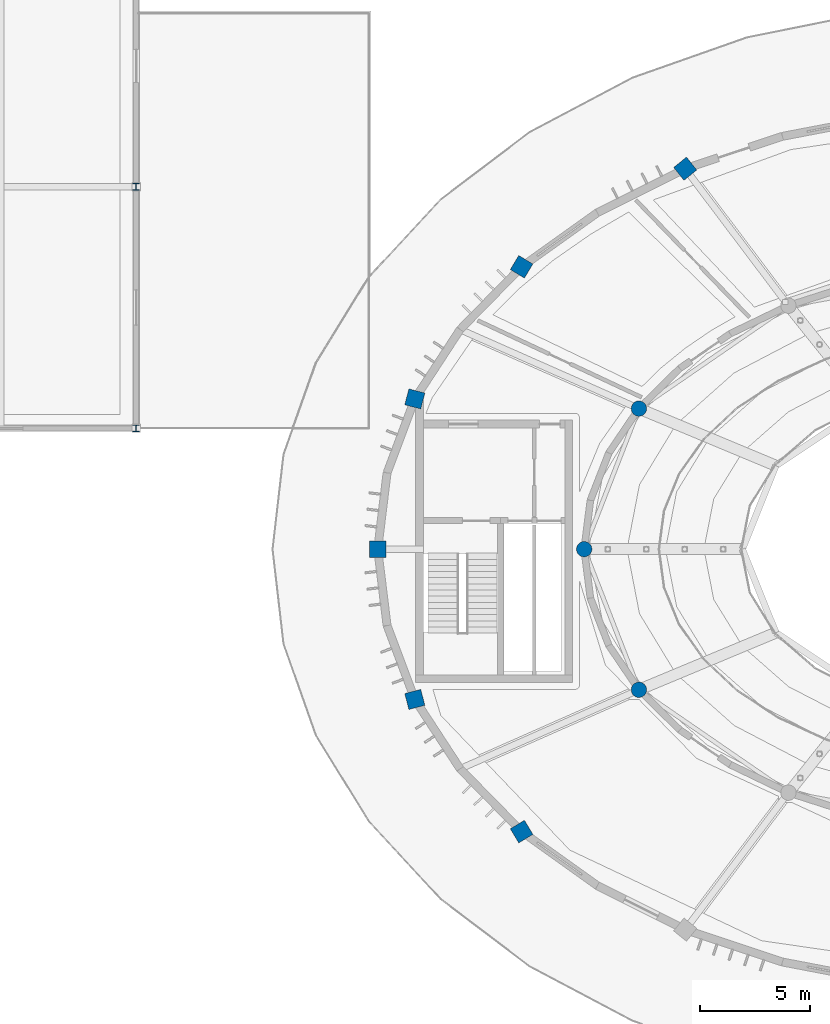
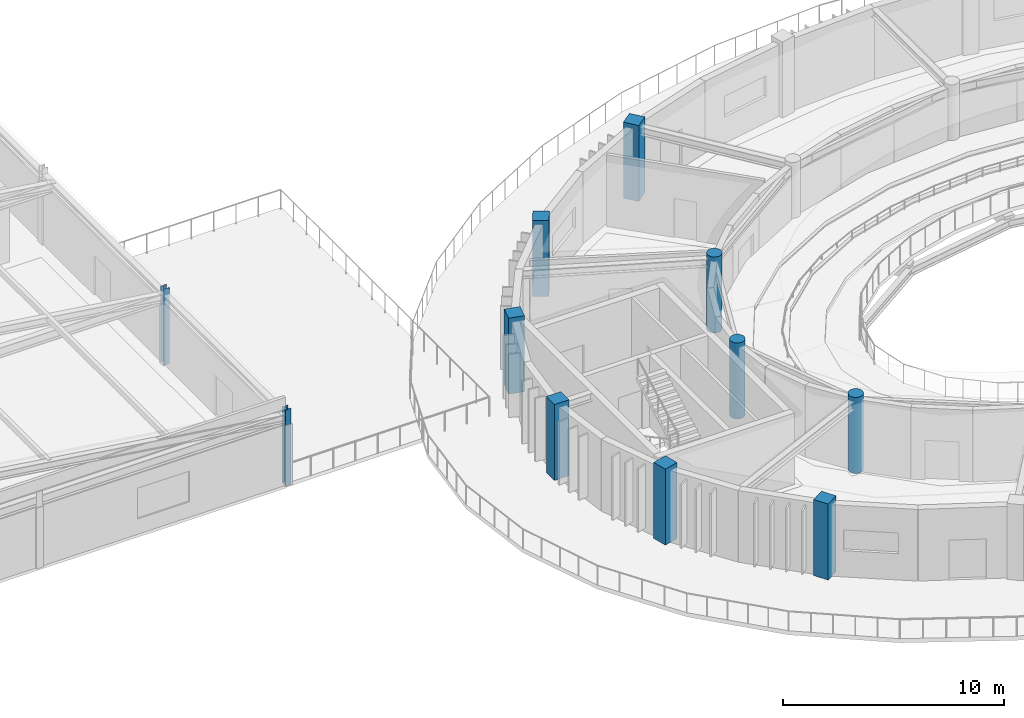
# One storey, part 3 of 63: 11 columns.
"""IFC4 building model written with IfcOpenShell, lengths in metres."""

from ifc_helpers import new_model, si_unit, direction, frame, origin, origin_2d, place, context, subcontext, project, spatial, rectangle, circle, i_section, extrude, material, material_profile, profile_set, type_object, element, save


model = new_model("IFC4")

# Units and contexts
model_context = context("Model", 3, precision=1e-05, world=origin(), true_north=direction((0.0, 1.0)))
body_context = subcontext(model_context, "Body", "Model", "MODEL_VIEW")
ifc_project = project(units=[si_unit("LENGTHUNIT", "METRE"), si_unit("AREAUNIT", "SQUARE_METRE"), si_unit("VOLUMEUNIT", "CUBIC_METRE"), si_unit("PLANEANGLEUNIT", "RADIAN"), si_unit("MASSUNIT", "GRAM", prefix="KILO")], contexts=[model_context])

# Site, building, storey
site_placement = place(None, origin())
site = spatial("IfcSite", under=ifc_project, at=site_placement, CompositionType="ELEMENT")
building_placement = place(site_placement, origin())
building = spatial("IfcBuilding", under=site, at=building_placement, Name="Tarnveldt Headland Concert Hall", CompositionType="ELEMENT")
storey_placement = place(building_placement, frame((0.0, 0.0, 14.39990234375)))
storey = spatial("IfcBuildingStorey", under=building, at=storey_placement, Name="L03", CompositionType="ELEMENT", Elevation=14.39990234375)

# Columns
ifc_material_1 = material(Name="Concrete C40/50", Category="concrete")
ifc_material_profile_1 = material_profile(ifc_material_1, rectangle(XDim=0.75, YDim=0.75, at=origin_2d()), Name="RC 750x750", Category="concrete")
ifc_profile_set_1 = profile_set([ifc_material_profile_1], Name="Concrete C40/50")
column_type_1 = type_object("IfcColumnType", Name="CC-750", PredefinedType="COLUMN", material=ifc_profile_set_1)
for number, where, z_axis, x_axis, name in (
    (1, (69.5, 71.820556640625, 0.0), (0.0, 0.0, 1.0), (-0.628641963719, 0.777694851116, 0.0), "Column V2DC07 L03"),
    (2, (62.05078125, 67.355712890625, 0.0), (0.0, 0.0, 1.0), (-0.85770617722, 0.514140169175, 0.0), "Column V2DC08 L03"),
    (3, (57.188720703125, 61.34033203125, 0.0), (0.0, 0.0, 1.0), (-0.967841021032, 0.251562632376, 0.0), "Column V2DC09 L03"),
    (4, (55.5, 54.5, 0.0), (0.0, 0.0, 1.0), (-1.0, 0.0, 0.0), "Column V2DC10 L03"),
    (5, (57.188720703125, 47.65966796875, 0.0), (0.0, 0.0, 1.0), (-0.967841021032, -0.251562632376, 0.0), "Column V2DC11 L03"),
    (6, (62.05078125, 41.644287109375, 0.0), (0.0, 0.0, 1.0), (-0.85770617722, -0.514140169175, 0.0), "Column V2DC12 L03"),
):
    element("IfcColumn", number, at=place(storey_placement, frame(where, z_axis=z_axis, x_axis=x_axis)), inside=storey, type_object=column_type_1, Name=name, PredefinedType="COLUMN", context=body_context, shape_type="SweptSolid", body=[
        extrude(rectangle(XDim=0.75, YDim=0.75, at=origin_2d()), origin(), (0.0, 0.0, 1.0), 4.2001953125),
    ])
ifc_material_profile_2 = material_profile(ifc_material_1, circle(Radius=0.35009765625, at=origin_2d()), Name="RC D700", Category="concrete")
ifc_profile_set_2 = profile_set([ifc_material_profile_2], Name="Concrete C40/50")
column_type_2 = type_object("IfcColumnType", Name="DC-700", PredefinedType="COLUMN", material=ifc_profile_set_2)
for number, where, z_axis, x_axis, name in (
    (7, (67.391845703125, 60.89990234375, 0.0), (0.0, 0.0, 1.0), (-0.929326043111, 0.369260213935, 0.0), "Column V2IC06 L03"),
    (8, (64.89990234375, 54.5, 0.0), (0.0, 0.0, 1.0), (-1.0, 0.0, 0.0), "Column V2IC07 L03"),
    (9, (67.391845703125, 48.10009765625, 0.0), (0.0, 0.0, 1.0), (-0.929326043111, -0.369260213935, 0.0), "Column V2IC08 L03"),
):
    element("IfcColumn", number, at=place(storey_placement, frame(where, z_axis=z_axis, x_axis=x_axis)), inside=storey, type_object=column_type_2, Name=name, PredefinedType="COLUMN", context=body_context, shape_type="SweptSolid", body=[
        extrude(circle(Radius=0.35009765625, at=origin_2d()), origin(), (0.0, 0.0, 1.0), 4.2001953125),
    ])
ifc_material_2 = material(Name="Steel S355", Category="steel")
ifc_material_profile_3 = material_profile(ifc_material_2, i_section(OverallWidth=0.300048828125, OverallDepth=0.300048828125, WebThickness=0.010986328125, FlangeThickness=0.01904296875, FilletRadius=0.027099609375, at=origin_2d()), Name="HEB300", Category="steel")
ifc_profile_set_3 = profile_set([ifc_material_profile_3], Name="Steel S355")
column_type_3 = type_object("IfcColumnType", Name="SC-HEB300", PredefinedType="COLUMN", material=ifc_profile_set_3)
for number, where, z_axis, x_axis, name in (
    (10, (44.5, 60.0, 0.0), (0.0, 0.0, 1.0), (1.0, 0.0, 0.0), "Column V5C16 L03"),
    (11, (44.5, 71.0, 0.0), (0.0, 0.0, 1.0), (1.0, 0.0, 0.0), "Column V5C17 L03"),
):
    element("IfcColumn", number, at=place(storey_placement, frame(where, z_axis=z_axis, x_axis=x_axis)), inside=storey, type_object=column_type_3, Name=name, PredefinedType="COLUMN", context=body_context, shape_type="SweptSolid", body=[
        extrude(i_section(OverallWidth=0.300048828125, OverallDepth=0.300048828125, WebThickness=0.010986328125, FlangeThickness=0.01904296875, FilletRadius=0.027099609375, at=origin_2d()), origin(), (0.0, 0.0, 1.0), 4.2001953125),
    ])

save(model, "model.ifc")
